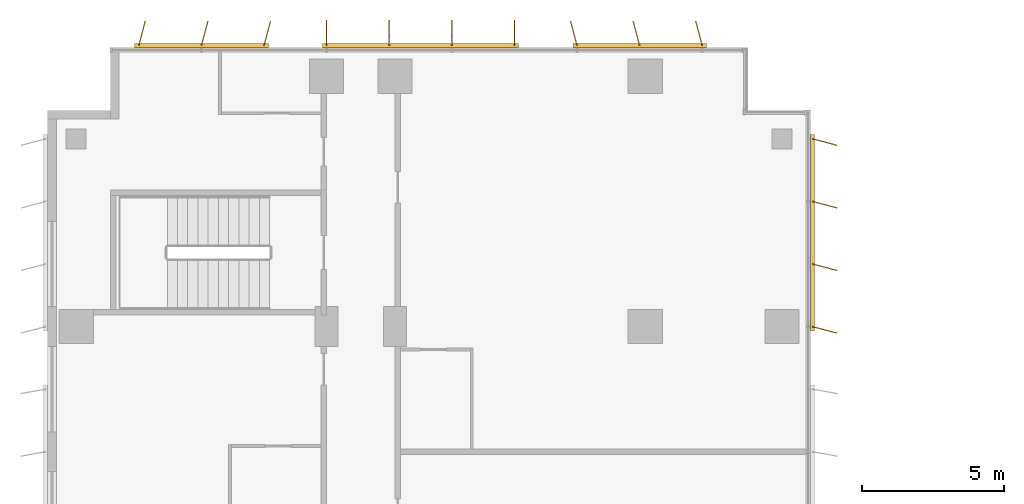
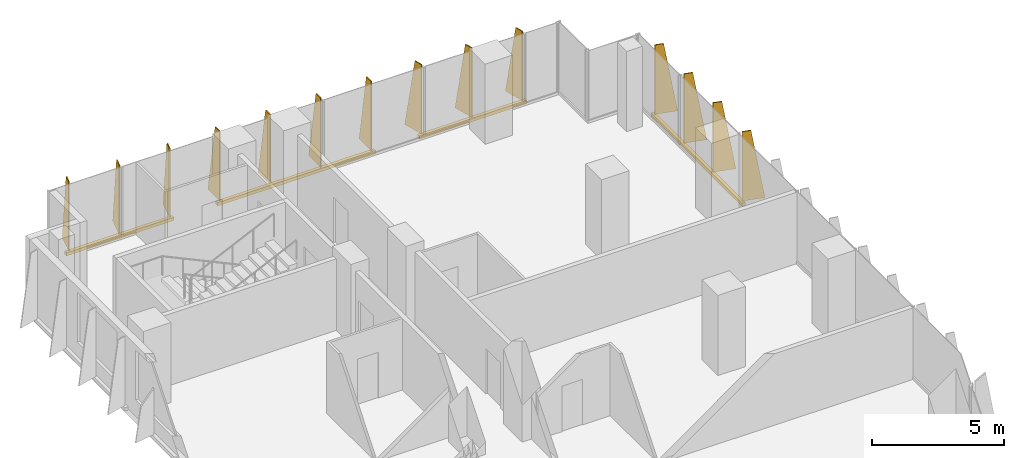
# One storey, part 22 of 22: 4 shading devices.
"""IFC4 building model written with IfcOpenShell, lengths in metres."""

from ifc_helpers import new_model, si_unit, direction, frame, origin, origin_2d, place, context, subcontext, project, spatial, polyline, rectangle, outline, extrude, source, transform, mapped, material, layer, layer_set, type_object, element, save


model = new_model("IFC4")

# Units and contexts
model_context = context("Model", 3, precision=1e-05, world=origin(), true_north=direction((0.0, 1.0)))
body_context = subcontext(model_context, "Body", "Model", "MODEL_VIEW")
ifc_project = project(units=[si_unit("LENGTHUNIT", "METRE"), si_unit("AREAUNIT", "SQUARE_METRE"), si_unit("VOLUMEUNIT", "CUBIC_METRE"), si_unit("PLANEANGLEUNIT", "RADIAN"), si_unit("MASSUNIT", "GRAM", prefix="KILO")], contexts=[model_context])

# Site, building, storey
site_placement = place(None, origin())
site = spatial("IfcSite", under=ifc_project, at=site_placement, CompositionType="ELEMENT")
building_placement = place(site_placement, origin())
building = spatial("IfcBuilding", under=site, at=building_placement, Name="Kemantara Hotel Tower", CompositionType="ELEMENT")
storey_placement = place(building_placement, frame((0.0, 0.0, 98.199951171875)))
storey = spatial("IfcBuildingStorey", under=building, at=storey_placement, Name="L23", CompositionType="ELEMENT", Elevation=98.199951171875)

# Shading devices
ifc_material = material(Name="Perforated aluminium plate 4 mm bronze anodised", Category="aluminium")
ifc_layer_1 = layer(ifc_material, 0.0400390625)
ifc_layer_set_1 = layer_set([ifc_layer_1], Name="Perforated aluminium plate 4 mm bronze anodised")
shading_device_type_1 = type_object("IfcShadingDeviceType", Name="SCREEN FIN CASSETTE, 3 BLADES AT -15.0 DEG, 3200 HIGH", PredefinedType="USERDEFINED", material=ifc_layer_set_1)
shared_shape_1 = source(origin(), body_context, "Body", "SweptSolid", [
    extrude(rectangle(XDim=4.699951171875, YDim=0.14990234375, at=origin_2d()), frame((2.199951171875, -0.074951171875, -0.14990234375), z_axis=(0.0, 0.0, 1.0), x_axis=(1.0, 0.0, 0.0)), (0.0, 0.0, 1.0), 0.14990234375),
    extrude(outline(polyline([(0.0, 0.0), (0.89990234375, 0.0), (0.35009765625, 3.199951171875), (0.0, 3.199951171875), (0.0, 0.0)])), frame((0.019287109375, -0.080078125, 0.0), z_axis=(-0.966437683387, 0.256901156343, 0.0), x_axis=(-0.256901156343, -0.966437683387, 0.0)), (0.0, 0.0, 1.0), 0.039794921875),
    extrude(outline(polyline([(0.0, 0.0), (0.89990234375, 0.0), (0.35009765625, 3.199951171875), (0.0, 3.199951171875), (0.0, 0.0)])), frame((2.21923828125, -0.080078125, 0.0), z_axis=(-0.966437683387, 0.256901156343, 0.0), x_axis=(-0.256901156343, -0.966437683387, 0.0)), (0.0, 0.0, 1.0), 0.039794921875),
    extrude(outline(polyline([(0.0, 0.0), (0.89990234375, 0.0), (0.35009765625, 3.199951171875), (0.0, 3.199951171875), (0.0, 0.0)])), frame((4.41943359375, -0.080078125, 0.0), z_axis=(-0.966837822169, 0.255391122837, 0.0), x_axis=(-0.255391122837, -0.966837822169, 0.0)), (0.0, 0.0, 1.0), 0.0400390625),
])
shading_device_1_placement = place(storey_placement, frame((7.60009765625, 81.199951171875, 0.10009765625), z_axis=(0.0, 0.0, 1.0), x_axis=(-1.0, 0.0, 0.0)))
element("IfcShadingDevice", 1, at=shading_device_1_placement, inside=storey, type_object=shading_device_type_1, Name="SCREEN FIN CASSETTE L23 T2-R01-3", ObjectType="SCREEN FIN", PredefinedType="USERDEFINED", context=body_context, shape_type="MappedRepresentation", body=[
    mapped(shared_shape_1, transform((0.0, 0.0, 0.0))),
])
ifc_layer_2 = layer(ifc_material, 0.0400390625)
ifc_layer_set_2 = layer_set([ifc_layer_2], Name="Perforated aluminium plate 4 mm bronze anodised")
shading_device_type_2 = type_object("IfcShadingDeviceType", Name="SCREEN FIN CASSETTE, 4 BLADES AT +0.0 DEG, 3200 HIGH", PredefinedType="USERDEFINED", material=ifc_layer_set_2)
shared_shape_2 = source(origin(), body_context, "Body", "SweptSolid", [
    extrude(rectangle(XDim=6.89990234375, YDim=0.14990234375, at=origin_2d()), frame((3.300048828125, -0.074951171875, -0.14990234375), z_axis=(0.0, 0.0, 1.0), x_axis=(1.0, 0.0, 0.0)), (0.0, 0.0, 1.0), 0.14990234375),
    extrude(outline(polyline([(0.0, 0.0), (0.89990234375, 0.0), (0.35009765625, 3.199951171875), (0.0, 3.199951171875), (0.0, 0.0)])), frame((0.02001953125, -0.074951171875, 0.0), z_axis=(-1.0, 0.0, 0.0), x_axis=(0.0, -1.0, 0.0)), (0.0, 0.0, 1.0), 0.0400390625),
    extrude(outline(polyline([(0.0, 0.0), (0.89990234375, 0.0), (0.35009765625, 3.199951171875), (0.0, 3.199951171875), (0.0, 0.0)])), frame((2.219970703125, -0.074951171875, 0.0), z_axis=(-1.0, 0.0, 0.0), x_axis=(0.0, -1.0, 0.0)), (0.0, 0.0, 1.0), 0.0400390625),
    extrude(outline(polyline([(0.0, 0.0), (0.89990234375, 0.0), (0.35009765625, 3.199951171875), (0.0, 3.199951171875), (0.0, 0.0)])), frame((4.419921875, -0.074951171875, 0.0), z_axis=(-1.0, 0.0, 0.0), x_axis=(0.0, -1.0, 0.0)), (0.0, 0.0, 1.0), 0.0400390625),
    extrude(outline(polyline([(0.0, 0.0), (0.89990234375, 0.0), (0.35009765625, 3.199951171875), (0.0, 3.199951171875), (0.0, 0.0)])), frame((6.6201171875, -0.074951171875, 0.0), z_axis=(-1.0, 0.0, 0.0), x_axis=(0.0, -1.0, 0.0)), (0.0, 0.0, 1.0), 0.0400390625),
])
shading_device_2_placement = place(storey_placement, frame((16.39990234375, 81.199951171875, 0.10009765625), z_axis=(0.0, 0.0, 1.0), x_axis=(-1.0, 0.0, 0.0)))
element("IfcShadingDevice", 2, at=shading_device_2_placement, inside=storey, type_object=shading_device_type_2, Name="SCREEN FIN CASSETTE L23 T2-R01-2", ObjectType="SCREEN FIN", PredefinedType="USERDEFINED", context=body_context, shape_type="MappedRepresentation", body=[
    mapped(shared_shape_2, transform((0.0, 0.0, 0.0))),
])
ifc_layer_3 = layer(ifc_material, 0.0400390625)
ifc_layer_set_3 = layer_set([ifc_layer_3], Name="Perforated aluminium plate 4 mm bronze anodised")
shading_device_type_3 = type_object("IfcShadingDeviceType", Name="SCREEN FIN CASSETTE, 3 BLADES AT +15.0 DEG, 3200 HIGH", PredefinedType="USERDEFINED", material=ifc_layer_set_3)
shared_shape_3 = source(origin(), body_context, "Body", "SweptSolid", [
    extrude(rectangle(XDim=4.699951171875, YDim=0.14990234375, at=origin_2d()), frame((2.199951171875, -0.074951171875, -0.14990234375), z_axis=(0.0, 0.0, 1.0), x_axis=(1.0, 0.0, 0.0)), (0.0, 0.0, 1.0), 0.14990234375),
    extrude(outline(polyline([(0.0, 0.0), (0.89990234375, 0.0), (0.35009765625, 3.199951171875), (0.0, 3.199951171875), (0.0, 0.0)])), frame((0.019287109375, -0.06982421875, 0.0), z_axis=(-0.966437683387, -0.256901156343, 0.0), x_axis=(0.256901156343, -0.966437683387, 0.0)), (0.0, 0.0, 1.0), 0.039794921875),
    extrude(outline(polyline([(0.0, 0.0), (0.89990234375, 0.0), (0.35009765625, 3.199951171875), (0.0, 3.199951171875), (0.0, 0.0)])), frame((2.21923828125, -0.06982421875, 0.0), z_axis=(-0.966437683387, -0.256901156343, 0.0), x_axis=(0.256901156343, -0.966437683387, 0.0)), (0.0, 0.0, 1.0), 0.039794921875),
    extrude(outline(polyline([(0.0, 0.0), (0.89990234375, 0.0), (0.35009765625, 3.199951171875), (0.0, 3.199951171875), (0.0, 0.0)])), frame((4.41943359375, -0.06982421875, 0.0), z_axis=(-0.966837822169, -0.255391122837, 0.0), x_axis=(0.255391122837, -0.966837822169, 0.0)), (0.0, 0.0, 1.0), 0.0400390625),
])
shading_device_3_placement = place(storey_placement, frame((23.0, 81.199951171875, 0.10009765625), z_axis=(0.0, 0.0, 1.0), x_axis=(-1.0, 0.0, 0.0)))
element("IfcShadingDevice", 3, at=shading_device_3_placement, inside=storey, type_object=shading_device_type_3, Name="SCREEN FIN CASSETTE L23 T2-R01-1", ObjectType="SCREEN FIN", PredefinedType="USERDEFINED", context=body_context, shape_type="MappedRepresentation", body=[
    mapped(shared_shape_3, transform((0.0, 0.0, 0.0))),
])
ifc_layer_4 = layer(ifc_material, 0.0400390625)
ifc_layer_set_4 = layer_set([ifc_layer_4], Name="Perforated aluminium plate 4 mm bronze anodised")
shading_device_type_4 = type_object("IfcShadingDeviceType", Name="SCREEN FIN CASSETTE, 4 BLADES AT -15.0 DEG, 3200 HIGH", PredefinedType="USERDEFINED", material=ifc_layer_set_4)
shared_shape_4 = source(origin(), body_context, "Body", "SweptSolid", [
    extrude(rectangle(XDim=6.89990234375, YDim=0.14990234375, at=origin_2d()), frame((3.300048828125, -0.074951171875, -0.14990234375), z_axis=(0.0, 0.0, 1.0), x_axis=(1.0, 0.0, 0.0)), (0.0, 0.0, 1.0), 0.14990234375),
    extrude(outline(polyline([(0.0, 0.0), (0.89990234375, 0.0), (0.35009765625, 3.199951171875), (0.0, 3.199951171875), (0.0, 0.0)])), frame((0.019287109375, -0.080078125, 0.0), z_axis=(-0.966437683387, 0.256901156343, 0.0), x_axis=(-0.256901156343, -0.966437683387, 0.0)), (0.0, 0.0, 1.0), 0.039794921875),
    extrude(outline(polyline([(0.0, 0.0), (0.89990234375, 0.0), (0.35009765625, 3.199951171875), (0.0, 3.199951171875), (0.0, 0.0)])), frame((2.21923828125, -0.080078125, 0.0), z_axis=(-0.966437683387, 0.256901156343, 0.0), x_axis=(-0.256901156343, -0.966437683387, 0.0)), (0.0, 0.0, 1.0), 0.039794921875),
    extrude(outline(polyline([(0.0, 0.0), (0.89990234375, 0.0), (0.35009765625, 3.199951171875), (0.0, 3.199951171875), (0.0, 0.0)])), frame((4.41943359375, -0.080078125, 0.0), z_axis=(-0.966837822169, 0.255391122837, 0.0), x_axis=(-0.255391122837, -0.966837822169, 0.0)), (0.0, 0.0, 1.0), 0.0400390625),
    extrude(outline(polyline([(0.0, 0.0), (0.89990234375, 0.0), (0.35009765625, 3.199951171875), (0.0, 3.199951171875), (0.0, 0.0)])), frame((6.619384765625, -0.080078125, 0.0), z_axis=(-0.966837822169, 0.255391122837, 0.0), x_axis=(-0.255391122837, -0.966837822169, 0.0)), (0.0, 0.0, 1.0), 0.0400390625),
])
shading_device_4_placement = place(storey_placement, frame((26.800048828125, 71.39990234375, 0.10009765625), z_axis=(0.0, 0.0, 1.0), x_axis=(0.0, 1.0, 0.0)))
element("IfcShadingDevice", 4, at=shading_device_4_placement, inside=storey, type_object=shading_device_type_4, Name="SCREEN FIN CASSETTE L23 T2-R14-7", ObjectType="SCREEN FIN", PredefinedType="USERDEFINED", context=body_context, shape_type="MappedRepresentation", body=[
    mapped(shared_shape_4, transform((0.0, 0.0, 0.0))),
])

save(model, "model.ifc")
